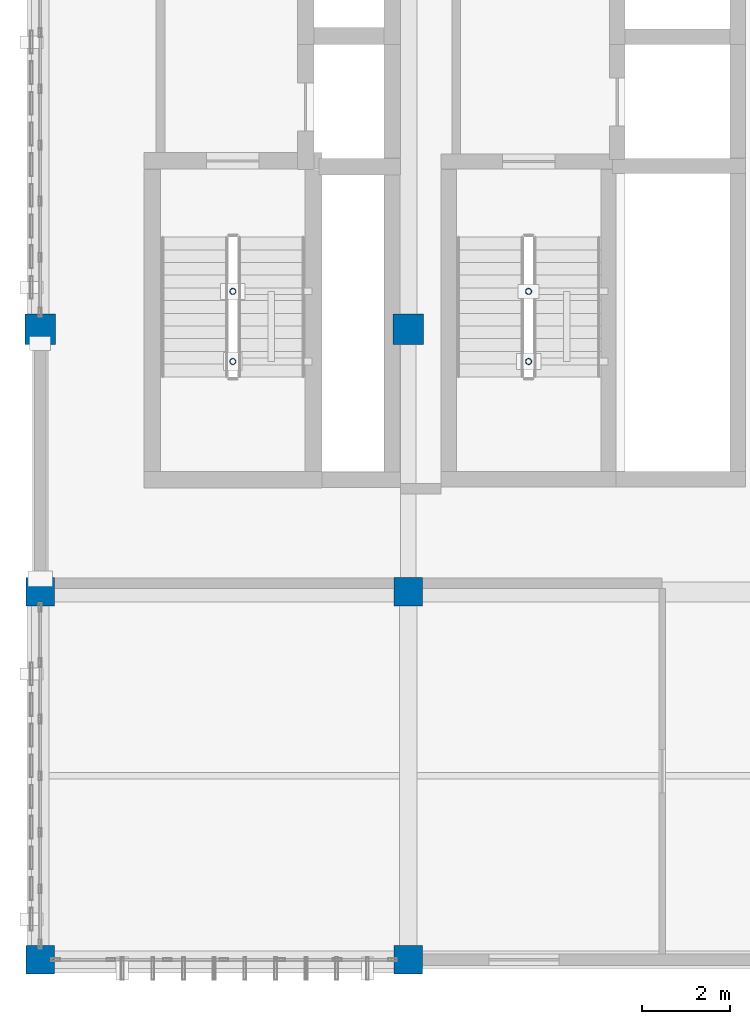
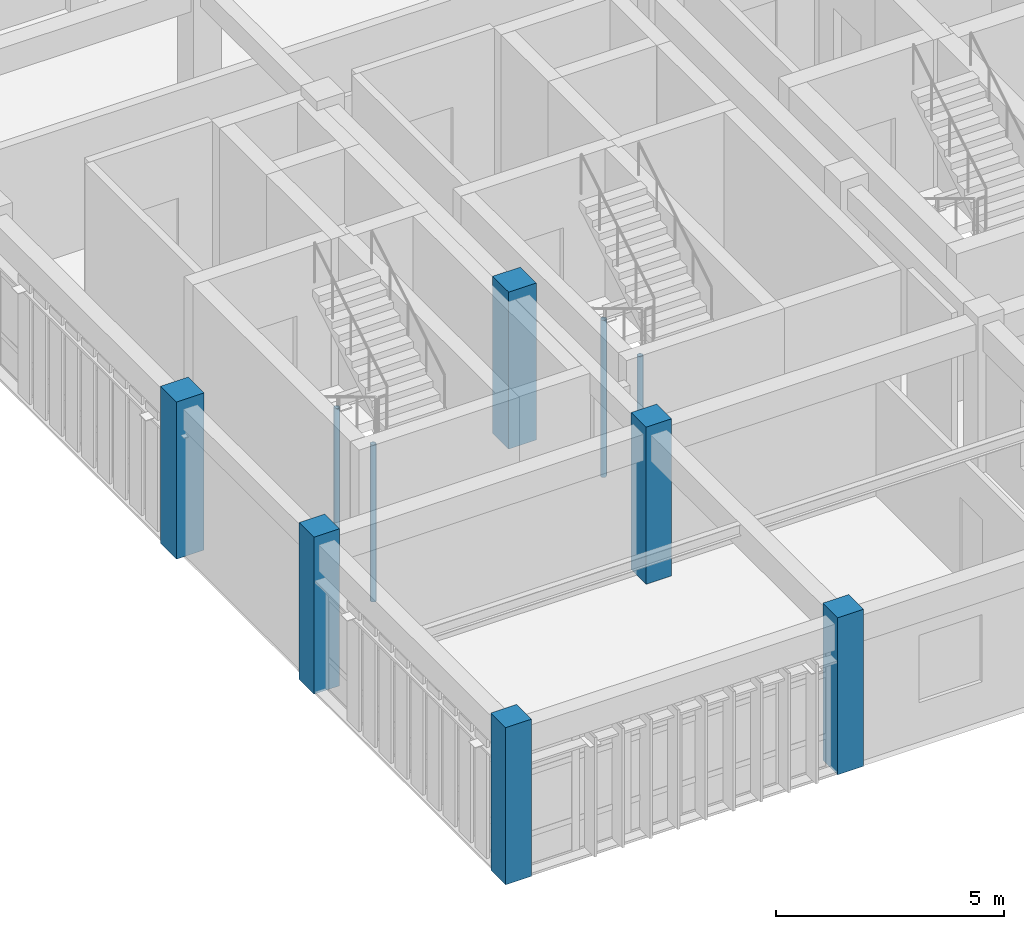
# One storey, part 1 of 22: 10 columns.
"""IFC4 building model written with IfcOpenShell, lengths in metres."""

from ifc_helpers import new_model, si_unit, direction, frame, origin, origin_2d, place, context, subcontext, project, spatial, rectangle, hollow_circle, extrude, material, material_profile, profile_set, type_object, element, save


model = new_model("IFC4")

# Units and contexts
model_context = context("Model", 3, precision=1e-05, world=origin(), true_north=direction((0.0, 1.0)))
body_context = subcontext(model_context, "Body", "Model", "MODEL_VIEW")
ifc_project = project(units=[si_unit("LENGTHUNIT", "METRE"), si_unit("AREAUNIT", "SQUARE_METRE"), si_unit("VOLUMEUNIT", "CUBIC_METRE"), si_unit("PLANEANGLEUNIT", "RADIAN"), si_unit("MASSUNIT", "GRAM", prefix="KILO")], contexts=[model_context])

# Site, building, storey
site_placement = place(None, origin())
site = spatial("IfcSite", under=ifc_project, at=site_placement, CompositionType="ELEMENT")
building_placement = place(site_placement, origin())
building = spatial("IfcBuilding", under=site, at=building_placement, Name="Krzemoval Escarpment Law Courts", CompositionType="ELEMENT")
storey_placement = place(building_placement, frame((0.0, 0.0, 29.39990234375)))
storey = spatial("IfcBuildingStorey", under=building, at=storey_placement, Name="L06", CompositionType="ELEMENT", Elevation=29.39990234375)

# Columns
ifc_material_1 = material(Name="Concrete C40/50", Category="concrete")
ifc_material_profile_1 = material_profile(ifc_material_1, rectangle(XDim=0.64990234375, YDim=0.64990234375, at=origin_2d()), Name="RC 650x650")
ifc_profile_set_1 = profile_set([ifc_material_profile_1], Name="Concrete C40/50")
column_type_1 = type_object("IfcColumnType", Name="COL-RC-650", PredefinedType="COLUMN", material=ifc_profile_set_1)
for number, where, z_axis, x_axis, name in (
    (1, (126.0, 85.199951171875, 0.0), (0.0, 0.0, 1.0), (1.0, 0.0, 0.0), "Column FC-L06-1291"),
    (2, (126.0, 93.60009765625, 0.0), (0.0, 0.0, 1.0), (1.0, 0.0, 0.0), "Column FC-L06-1292"),
    (3, (134.39990234375, 85.199951171875, 0.0), (0.0, 0.0, 1.0), (1.0, 0.0, 0.0), "Column FC-L06-1297"),
    (4, (134.39990234375, 93.60009765625, 0.0), (0.0, 0.0, 1.0), (1.0, 0.0, 0.0), "Column FC-L06-1298"),
):
    element("IfcColumn", number, at=place(storey_placement, frame(where, z_axis=z_axis, x_axis=x_axis)), inside=storey, type_object=column_type_1, Name=name, PredefinedType="COLUMN", context=body_context, shape_type="SweptSolid", body=[
        extrude(rectangle(XDim=0.64990234375, YDim=0.64990234375, at=origin_2d()), origin(), (0.0, 0.0, 1.0), 4.2001953125),
    ])
ifc_material_2 = material(Name="Concrete C40/50", Category="concrete")
ifc_material_profile_2 = material_profile(ifc_material_2, rectangle(XDim=0.699951171875, YDim=0.699951171875, at=origin_2d()), Name="RC 700x700")
ifc_profile_set_2 = profile_set([ifc_material_profile_2], Name="Concrete C40/50")
column_type_2 = type_object("IfcColumnType", Name="COL-RC-700", PredefinedType="COLUMN", material=ifc_profile_set_2)
for number, where, z_axis, x_axis, name in (
    (5, (126.0, 99.60009765625, 0.0), (0.0, 0.0, 1.0), (1.0, 0.0, 0.0), "Column FC-L06-1293"),
    (6, (134.39990234375, 99.60009765625, 0.0), (0.0, 0.0, 1.0), (1.0, 0.0, 0.0), "Column FC-L06-1299"),
):
    element("IfcColumn", number, at=place(storey_placement, frame(where, z_axis=z_axis, x_axis=x_axis)), inside=storey, type_object=column_type_2, Name=name, PredefinedType="COLUMN", context=body_context, shape_type="SweptSolid", body=[
        extrude(rectangle(XDim=0.699951171875, YDim=0.699951171875, at=origin_2d()), origin(), (0.0, 0.0, 1.0), 4.2001953125),
    ])
ifc_material_3 = material(Name="Steel S355", Category="steel")
ifc_material_profile_3 = material_profile(ifc_material_3, hollow_circle(Radius=0.06982421875, WallThickness=0.008056640625, at=origin_2d()), Name="CHS 139.7x8")
ifc_profile_set_3 = profile_set([ifc_material_profile_3], Name="Steel S355")
column_type_3 = type_object("IfcColumnType", Name="COL-S355-CHS140", PredefinedType="COLUMN", material=ifc_profile_set_3)
for number, where, z_axis, x_axis, name in (
    (7, (130.39990234375, 98.860107421875, -2.52978515625), (0.0, 0.0, 1.0), (1.0, 0.0, 0.0), "Stair Well Post SCP-C1-L06-1"),
    (8, (130.39990234375, 100.4599609375, -2.52978515625), (0.0, 0.0, 1.0), (1.0, 0.0, 0.0), "Stair Well Post SCP-C1-L06-2"),
    (9, (137.14990234375, 98.860107421875, -2.52978515625), (0.0, 0.0, 1.0), (1.0, 0.0, 0.0), "Stair Well Post SCP-C2-L06-1"),
    (10, (137.14990234375, 100.4599609375, -2.52978515625), (0.0, 0.0, 1.0), (1.0, 0.0, 0.0), "Stair Well Post SCP-C2-L06-2"),
):
    element("IfcColumn", number, at=place(storey_placement, frame(where, z_axis=z_axis, x_axis=x_axis)), inside=storey, type_object=column_type_3, Name=name, PredefinedType="COLUMN", context=body_context, shape_type="SweptSolid", body=[
        extrude(hollow_circle(Radius=0.06982421875, WallThickness=0.008056640625, at=origin_2d()), origin(), (0.0, 0.0, 1.0), 4.199951171875),
    ])

save(model, "model.ifc")
